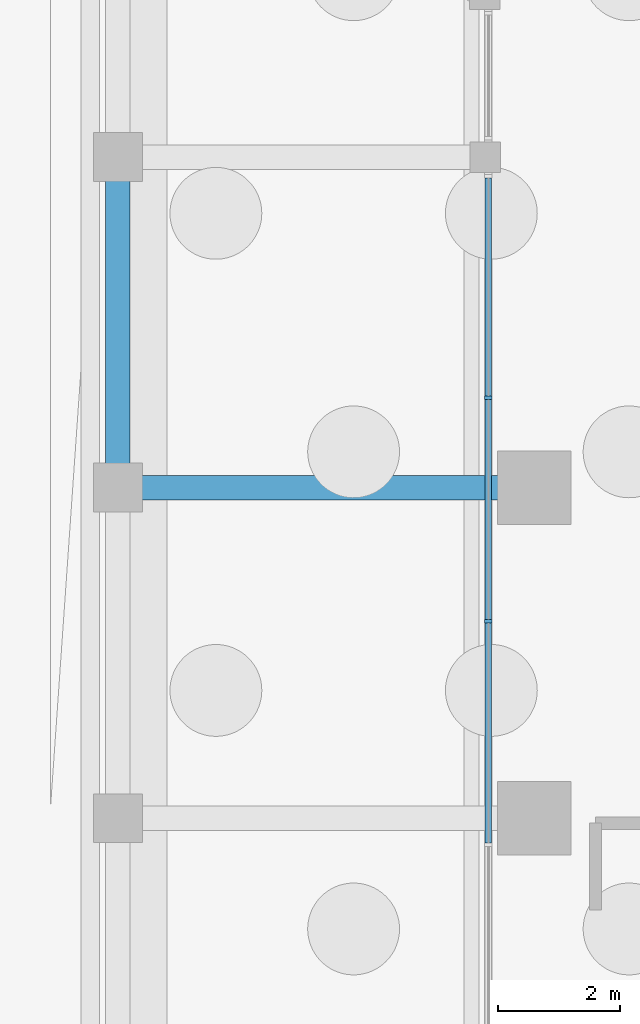
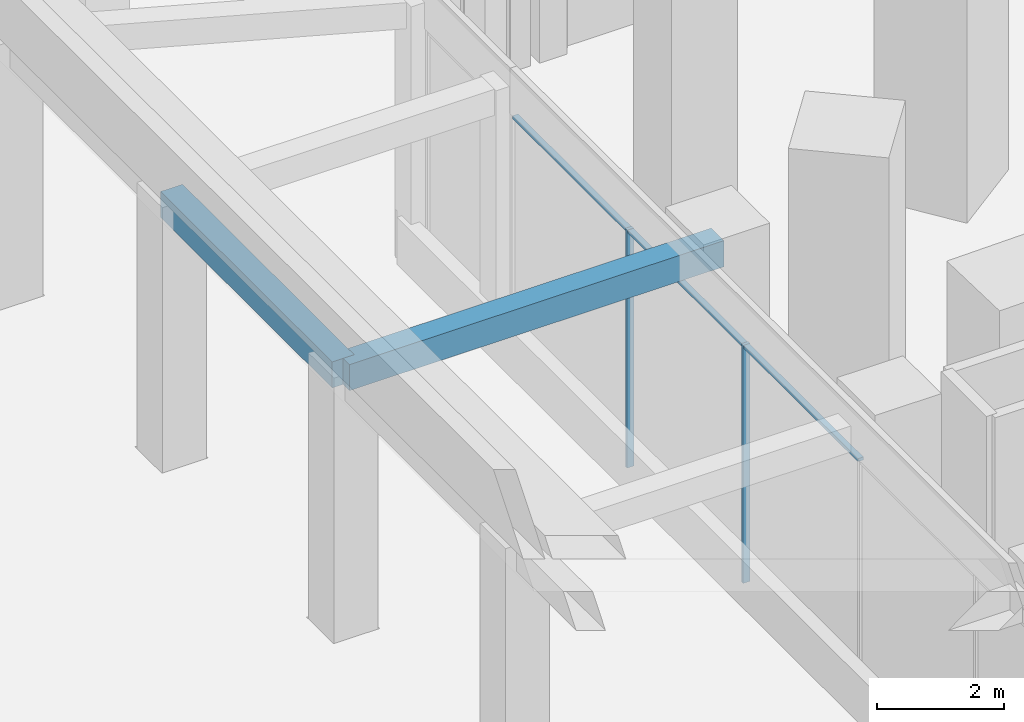
# One storey, part 22 of 46: 5 members, 2 beams, 1 element without a shape of its own.
"""IFC4 building model written with IfcOpenShell, lengths in metres."""

from ifc_helpers import new_model, si_unit, direction, frame, origin, origin_2d, place, context, subcontext, project, spatial, rectangle, extrude, material, material_profile, profile_set, type_object, element, aggregate, save


model = new_model("IFC4")

# Units and contexts
model_context = context("Model", 3, precision=1e-05, world=origin(), true_north=direction((0.0, 1.0)))
body_context = subcontext(model_context, "Body", "Model", "MODEL_VIEW")
ifc_project = project(units=[si_unit("LENGTHUNIT", "METRE"), si_unit("AREAUNIT", "SQUARE_METRE"), si_unit("VOLUMEUNIT", "CUBIC_METRE"), si_unit("PLANEANGLEUNIT", "RADIAN"), si_unit("MASSUNIT", "GRAM", prefix="KILO")], contexts=[model_context])

# Site, building, storey
site_placement = place(None, origin())
site = spatial("IfcSite", under=ifc_project, at=site_placement, CompositionType="ELEMENT")
building_placement = place(site_placement, origin())
building = spatial("IfcBuilding", under=site, at=building_placement, Name="Mangrove Gate Tower", CompositionType="ELEMENT")
storey_placement = place(building_placement, origin())
storey = spatial("IfcBuildingStorey", under=building, at=storey_placement, Name="L00", CompositionType="ELEMENT", Elevation=0.0)

# Beams
ifc_material_1 = material(Name="Concrete C70/85", Category="concrete")
ifc_material_profile_1 = material_profile(ifc_material_1, rectangle(XDim=0.39990234375, YDim=0.5, at=origin_2d()))
ifc_profile_set_1 = profile_set([ifc_material_profile_1], Name="Concrete C70/85")
beam_type = type_object("IfcBeamType", Name="Canopy beam RC 400x500 C70/85", PredefinedType="BEAM", material=ifc_profile_set_1)
beam_1_placement = place(storey_placement, frame((-42.10009765625, 18.89990234375, 4.830078125), z_axis=(0.0, 1.0, 0.0), x_axis=(-1.0, 0.0, 0.0)))
element("IfcBeam", 1, at=beam_1_placement, inside=storey, type_object=beam_type, Name="Canopy beam L00 CEW04", PredefinedType="BEAM", context=body_context, shape_type="SweptSolid", body=[
    extrude(rectangle(XDim=0.39990234375, YDim=0.5, at=origin_2d()), origin(), (0.0, 0.0, 1.0), 5.400146484375),
])
beam_2_placement = place(storey_placement, frame((-35.300048828125, 18.89990234375, 4.830078125), z_axis=(-1.0, 0.0, 0.0), x_axis=(0.0, -1.0, 0.0)))
element("IfcBeam", 2, at=beam_2_placement, inside=storey, type_object=beam_type, Name="Canopy beam L00 CBW04", PredefinedType="BEAM", context=body_context, shape_type="SweptSolid", body=[
    extrude(rectangle(XDim=0.39990234375, YDim=0.5, at=origin_2d()), origin(), (0.0, 0.0, 1.0), 6.800048828125),
])

# Curtain wall, members
ifc_material_2 = material(Name="Aluminium and glass curtain wall", Category="aluminium")
curtain_wall_type = type_object("IfcCurtainWallType", Name="Podium shopfront glazing wall", PredefinedType="NOTDEFINED", material=ifc_material_2)
curtain_wall_placement = place(storey_placement, origin())
curtain_wall = element("IfcCurtainWall", 3, at=curtain_wall_placement, inside=storey, type_object=curtain_wall_type, Name="Podium shopfront glazing W14s2", PredefinedType="NOTDEFINED")
ifc_material_3 = material(Name="Aluminium alloy 6063-T6", Category="aluminium")
ifc_material_profile_2 = material_profile(ifc_material_3, rectangle(XDim=0.06005859375, YDim=0.1201171875, at=origin_2d()))
ifc_profile_set_2 = profile_set([ifc_material_profile_2], Name="Aluminium alloy 6063-T6")
member_type_1 = type_object("IfcMemberType", Name="Podium shopfront glazing mullion 60x120", PredefinedType="MULLION", material=ifc_profile_set_2)
member_1_placement = place(storey_placement, frame((-36.050048828125, 20.369384765625, 0.0), z_axis=(0.0, 0.0, 1.0), x_axis=(0.0, -1.0, 0.0)))
member_1 = element("IfcMember", 4, at=member_1_placement, type_object=member_type_1, Name="CWS mullion 2", PredefinedType="MULLION", context=body_context, shape_type="SweptSolid", body=[
    extrude(rectangle(XDim=0.06005859375, YDim=0.1201171875, at=origin_2d()), origin(), (0.0, 0.0, 1.0), 4.570068359375),
])
member_2_placement = place(storey_placement, frame((-36.050048828125, 16.71875, 0.0), z_axis=(0.0, 0.0, 1.0), x_axis=(0.0, -1.0, 0.0)))
member_2 = element("IfcMember", 5, at=member_2_placement, type_object=member_type_1, Name="CWS mullion 3", PredefinedType="MULLION", context=body_context, shape_type="SweptSolid", body=[
    extrude(rectangle(XDim=0.06005859375, YDim=0.1201171875, at=origin_2d()), origin(), (0.0, 0.0, 1.0), 4.570068359375),
])
ifc_material_4 = material(Name="Aluminium alloy 6063-T6", Category="aluminium")
ifc_material_profile_3 = material_profile(ifc_material_4, rectangle(XDim=0.06005859375, YDim=0.10009765625, at=origin_2d()))
ifc_profile_set_3 = profile_set([ifc_material_profile_3], Name="Aluminium alloy 6063-T6")
member_type_2 = type_object("IfcMemberType", Name="Podium shopfront glazing transom 60x100", PredefinedType="USERDEFINED", material=ifc_profile_set_3)
member_3_placement = place(storey_placement, frame((-36.050048828125, 23.9599609375, 4.5400390625), z_axis=(0.0, -1.0, 0.0), x_axis=(0.0, 0.0, 1.0)))
member_3 = element("IfcMember", 6, at=member_3_placement, type_object=member_type_2, Name="CWS transom 1.2", ObjectType="TRANSOM", PredefinedType="USERDEFINED", context=body_context, shape_type="SweptSolid", body=[
    extrude(rectangle(XDim=0.06005859375, YDim=0.10009765625, at=origin_2d()), origin(), (0.0, 0.0, 1.0), 3.560546875),
])
member_4_placement = place(storey_placement, frame((-36.050048828125, 20.33935546875, 4.5400390625), z_axis=(0.0, -1.0, 0.0), x_axis=(0.0, 0.0, 1.0)))
member_4 = element("IfcMember", 7, at=member_4_placement, type_object=member_type_2, Name="CWS transom 2.2", ObjectType="TRANSOM", PredefinedType="USERDEFINED", context=body_context, shape_type="SweptSolid", body=[
    extrude(rectangle(XDim=0.06005859375, YDim=0.10009765625, at=origin_2d()), origin(), (0.0, 0.0, 1.0), 3.590576171875),
])
member_5_placement = place(storey_placement, frame((-36.050048828125, 16.688720703125, 4.5400390625), z_axis=(0.0, -1.0, 0.0), x_axis=(0.0, 0.0, 1.0)))
member_5 = element("IfcMember", 8, at=member_5_placement, type_object=member_type_2, Name="CWS transom 3.2", ObjectType="TRANSOM", PredefinedType="USERDEFINED", context=body_context, shape_type="SweptSolid", body=[
    extrude(rectangle(XDim=0.06005859375, YDim=0.10009765625, at=origin_2d()), origin(), (0.0, 0.0, 1.0), 3.590576171875),
])
aggregate(curtain_wall, [member_1, member_2, member_3, member_4, member_5])

save(model, "model.ifc")
